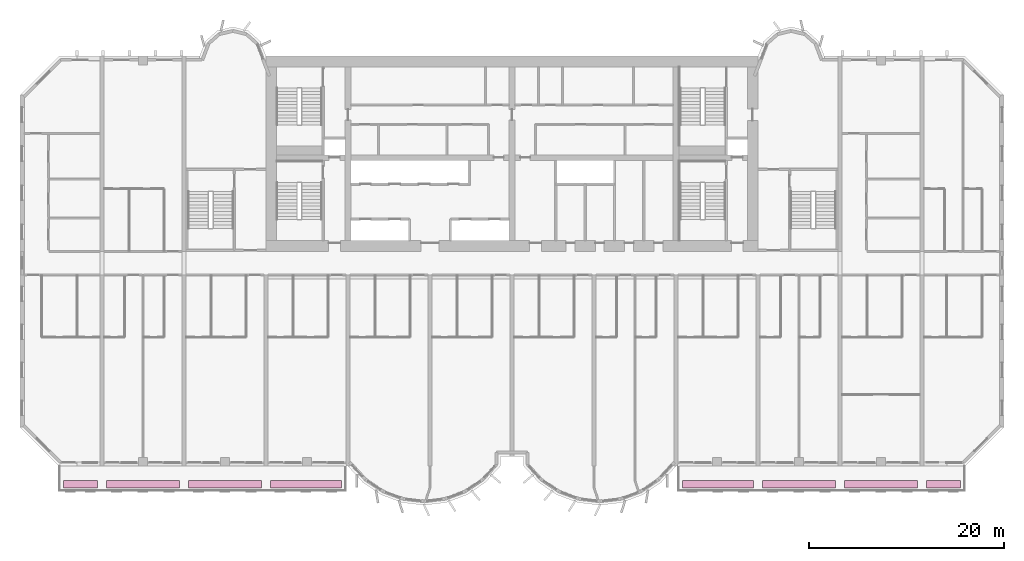
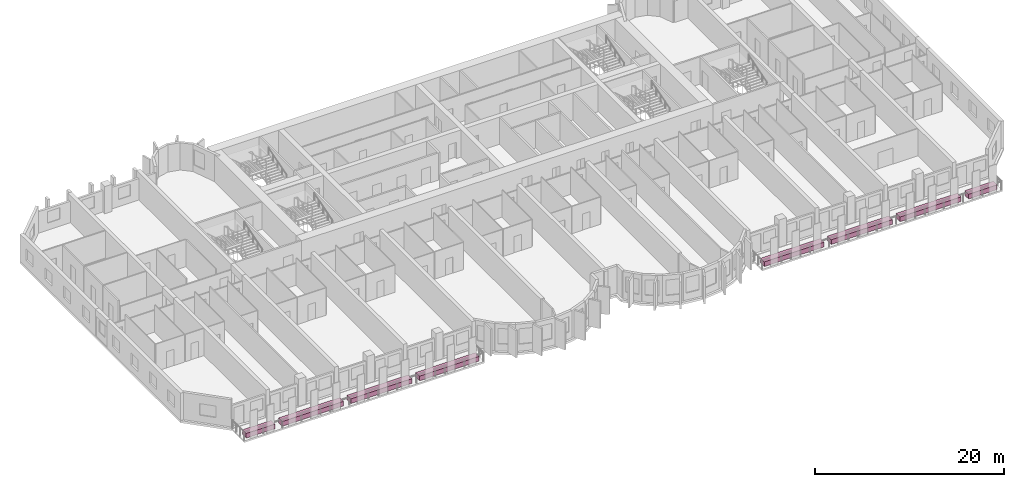
# One storey, part 15 of 15: 8 furniture elements.
"""IFC4 building model written with IfcOpenShell, lengths in metres."""

import ifcopenshell
import ifcopenshell.guid

model = None  # the IFC model being written
_history = None  # IfcOwnerHistory: only IFC2X3 demands one
_inside = {}  # id of a spatial element -> (the spatial element, [elements in it])
_under = {}  # id of a project, library or spatial element -> (it, [spatial elements below it])
_declared = {}  # id of a project -> (the project, [libraries it declares])
_typed = {}  # id of a type object -> (the type object, [elements of that type])
_made_of = {}  # id of a material, layer set ... -> (it, [elements and type objects made of it])


def new_model(schema):
    """Start an empty IFC model of exactly this schema.

    Asked for "IFC4X3", IfcOpenShell would pick the latest addendum, in which some entities
    have other attributes; the version numbers below select the first issue.
    IFC2X3 requires an IfcOwnerHistory on every rooted entity: one is made here for all.
    """
    global model, _history
    if schema == "IFC4X3":
        model = ifcopenshell.file(schema_version=(4, 3, 0, 0))
    else:
        model = ifcopenshell.file(schema=schema)
    _inside.clear()
    _under.clear()
    _declared.clear()
    _typed.clear()
    _made_of.clear()
    _history = None
    if model.schema == "IFC2X3":
        org = make("IfcOrganization", Name="unknown")
        user = make(
            "IfcPersonAndOrganization",
            ThePerson=make("IfcPerson", FamilyName="unknown"),
            TheOrganization=org,
        )
        app = make(
            "IfcApplication",
            ApplicationDeveloper=org,
            Version="unknown",
            ApplicationFullName="unknown",
            ApplicationIdentifier="unknown",
        )
        _history = make(
            "IfcOwnerHistory",
            OwningUser=user,
            OwningApplication=app,
            ChangeAction="ADDED",
            CreationDate=0,
        )
    return model


def make(cls, **values):
    """One entity of the class cls with the attributes given. An attribute that is None is left unset."""
    return model.create_entity(
        cls, **{name: value for name, value in values.items() if value is not None}
    )


def rooted(cls, **values):
    """An entity with a GlobalId (a new one), such as an element, a storey or a relation."""
    return make(cls, GlobalId=ifcopenshell.guid.new(), OwnerHistory=_history, **values)


def si_unit(unit_type, name, prefix=None):
    """IfcSIUnit, for example si_unit("LENGTHUNIT", "METRE", prefix="MILLI")."""
    return make("IfcSIUnit", UnitType=unit_type, Prefix=prefix, Name=name)


def assignment(units):
    """IfcUnitAssignment: the units of a project."""
    return None if units is None else make("IfcUnitAssignment", Units=units)


def point(xyz):
    """IfcCartesianPoint."""
    return None if xyz is None else make("IfcCartesianPoint", Coordinates=xyz)


def direction(xyz):
    """IfcDirection."""
    return None if xyz is None else make("IfcDirection", DirectionRatios=xyz)


def frame(location, z_axis=None, x_axis=None):
    """IfcAxis2Placement3D, a coordinate frame: its origin and axes. An axis left out is left unset."""
    return make(
        "IfcAxis2Placement3D",
        Location=point(location),
        Axis=direction(z_axis),
        RefDirection=direction(x_axis),
    )


def frame_2d(location, x_axis=None):
    """IfcAxis2Placement2D, a coordinate frame in the plane: its origin and x axis."""
    return make(
        "IfcAxis2Placement2D", Location=point(location), RefDirection=direction(x_axis)
    )


def origin():
    """The frame at (0, 0, 0) with its axes left unset."""
    return frame((0.0, 0.0, 0.0))


def origin_2d():
    """The frame at (0, 0) in the plane with its x axis left unset."""
    return frame_2d((0.0, 0.0))


def place(relative_to, where):
    """IfcLocalPlacement: puts the frame where relative to a parent placement (None: the world)."""
    return make(
        "IfcLocalPlacement", PlacementRelTo=relative_to, RelativePlacement=where
    )


def context(
    kind, dimensions, precision=None, world=None, true_north=None, identifier=None
):
    """IfcGeometricRepresentationContext, for example the 3D "Model" context."""
    return make(
        "IfcGeometricRepresentationContext",
        ContextIdentifier=identifier,
        ContextType=kind,
        CoordinateSpaceDimension=dimensions,
        Precision=precision,
        WorldCoordinateSystem=world,
        TrueNorth=true_north,
    )


def subcontext(parent, identifier, kind, view, scale=None):
    """IfcGeometricRepresentationSubContext, for example "Body" below "Model"."""
    return make(
        "IfcGeometricRepresentationSubContext",
        ContextIdentifier=identifier,
        ContextType=kind,
        ParentContext=parent,
        TargetScale=scale,
        TargetView=view,
    )


def project(units=None, contexts=None):
    """IfcProject with its units and contexts."""
    return rooted(
        "IfcProject",
        Name="project",
        RepresentationContexts=contexts,
        UnitsInContext=assignment(units),
    )


def spatial(cls, under=None, at=None, **own):
    """A site, building, storey or space (cls), placed at a placement, below another one or the project."""
    s = rooted(cls, ObjectPlacement=at, **own)
    if under is not None:
        _under.setdefault(under.id(), (under, []))[1].append(s)
    return s


def profile(cls, at=None, kind="AREA", **sizes):
    """A parametric profile (cls). Its sizes go by their IFC names, for example OverallWidth=200.0."""
    return make(cls, ProfileType=kind, Position=at, **sizes)


def rectangle(**sizes):
    """IfcRectangleProfileDef."""
    return profile("IfcRectangleProfileDef", **sizes)


def extrude(swept, where, along, depth):
    """IfcExtrudedAreaSolid: the profile swept, set in the frame where, extruded along a direction by depth."""
    return make(
        "IfcExtrudedAreaSolid",
        SweptArea=swept,
        Position=where,
        ExtrudedDirection=direction(along),
        Depth=depth,
    )


def shape(context_of_items, identifier, shape_type, items):
    """IfcShapeRepresentation: the items that make up one representation, for example the "Body"."""
    return make(
        "IfcShapeRepresentation",
        ContextOfItems=context_of_items,
        RepresentationIdentifier=identifier,
        RepresentationType=shape_type,
        Items=items,
    )


def source(mapping_origin, context_of_items, identifier, shape_type, items):
    """IfcRepresentationMap: a shape defined once, which mapped items show again and again."""
    return make(
        "IfcRepresentationMap",
        MappingOrigin=mapping_origin,
        MappedRepresentation=shape(context_of_items, identifier, shape_type, items),
    )


def transform(
    local_origin,
    x_axis=None,
    y_axis=None,
    z_axis=None,
    scale=None,
    scale2=None,
    scale3=None,
    uniform=True,
):
    """IfcCartesianTransformationOperator3D, or its non-uniform kind. x_axis, y_axis, z_axis: its Axis1, 2, 3."""
    if uniform:
        return make(
            "IfcCartesianTransformationOperator3D",
            Axis1=direction(x_axis),
            Axis2=direction(y_axis),
            LocalOrigin=point(local_origin),
            Scale=scale,
            Axis3=direction(z_axis),
        )
    return make(
        "IfcCartesianTransformationOperator3DnonUniform",
        Axis1=direction(x_axis),
        Axis2=direction(y_axis),
        LocalOrigin=point(local_origin),
        Scale=scale,
        Axis3=direction(z_axis),
        Scale2=scale2,
        Scale3=scale3,
    )


def mapped(mapping_source, mapping_target):
    """IfcMappedItem: shows the shape of a source again, moved by a transform."""
    return make(
        "IfcMappedItem", MappingSource=mapping_source, MappingTarget=mapping_target
    )


def material(Name=None, Category=None):
    """IfcMaterial."""
    return make("IfcMaterial", Name=Name, Category=Category)


def made_of(thing, what):
    """Note that an element or type object is made of a material, layer set ...; save() writes the relation."""
    if what is not None:
        _made_of.setdefault(what.id(), (what, []))[1].append(thing)
    return thing


def type_object(cls, material=None, **own):
    """A type object (cls), such as IfcWallType, which elements share."""
    return made_of(rooted(cls, **own), material)


def element(
    cls,
    number,
    at=None,
    inside=None,
    cuts=None,
    type_object=None,
    material=None,
    context=None,
    identifier="Body",
    shape_type=None,
    held_by="IfcProductDefinitionShape",
    body=None,
    shapes=None,
    **own,
):
    """One element of the class cls, such as IfcWall. Its Tag is "e" and its number.

    at: its placement. inside: the storey or other place that contains it. cuts: it is an
    opening in that element (IfcRelVoidsElement). A single representation is given by context,
    identifier, shape_type and body (its items); several are given by shapes. held_by: the class
    of the entity that holds the representations. save() writes the other relations.
    """
    e = rooted(cls, Tag="e%d" % number, ObjectPlacement=at, **own)
    if body is not None:
        shapes = [shape(context, identifier, shape_type, body)]
    if shapes is not None:
        e.Representation = make(held_by, Representations=shapes)
    if inside is not None:
        _inside.setdefault(inside.id(), (inside, []))[1].append(e)
    if cuts is not None:
        rooted(
            "IfcRelVoidsElement", RelatingBuildingElement=cuts, RelatedOpeningElement=e
        )
    if type_object is not None:
        _typed.setdefault(type_object.id(), (type_object, []))[1].append(e)
    return made_of(e, material)


def aggregate(whole, parts):
    """IfcRelAggregates: a whole, such as a stair, and the parts it consists of."""
    return rooted("IfcRelAggregates", RelatingObject=whole, RelatedObjects=parts)


def save(model, path):
    """Write the relations noted so far, then the file.

    IfcRelAggregates (storeys below a building ...), IfcRelContainedInSpatialStructure (elements
    in a storey), IfcRelDefinesByType, IfcRelAssociatesMaterial and IfcRelDeclares: one each for
    every whole, place, type object, material and project.
    """
    for whole, parts in _under.values():
        aggregate(whole, parts)
    for where, things in _inside.values():
        rooted(
            "IfcRelContainedInSpatialStructure",
            RelatedElements=things,
            RelatingStructure=where,
        )
    for kind, things in _typed.values():
        rooted("IfcRelDefinesByType", RelatedObjects=things, RelatingType=kind)
    for what, things in _made_of.values():
        rooted("IfcRelAssociatesMaterial", RelatedObjects=things, RelatingMaterial=what)
    for by, libraries in _declared.values():
        rooted("IfcRelDeclares", RelatingContext=by, RelatedDefinitions=libraries)
    model.write(path)


model = new_model("IFC4")

# Units and contexts
model_context = context("Model", 3, precision=1e-05, world=origin(), true_north=direction((0.0, 1.0)))
body_context = subcontext(model_context, "Body", "Model", "MODEL_VIEW")
ifc_project = project(units=[si_unit("LENGTHUNIT", "METRE"), si_unit("AREAUNIT", "SQUARE_METRE"), si_unit("VOLUMEUNIT", "CUBIC_METRE"), si_unit("PLANEANGLEUNIT", "RADIAN"), si_unit("MASSUNIT", "GRAM", prefix="KILO")], contexts=[model_context])

# Site, building, storey
site_placement = place(None, origin())
site = spatial("IfcSite", under=ifc_project, at=site_placement, CompositionType="ELEMENT")
building_placement = place(site_placement, origin())
building = spatial("IfcBuilding", under=site, at=building_placement, Name="Vanashikhar Sky Hotel", CompositionType="ELEMENT")
storey_placement = place(building_placement, frame((0.0, 0.0, 39.199951171875)))
storey = spatial("IfcBuildingStorey", under=building, at=storey_placement, Name="L08", CompositionType="ELEMENT", Elevation=39.199951171875)

# Furniture
ifc_material = material(Name="Planting soil and shrubs")
furniture_type = type_object("IfcFurnitureType", Name="Planter trough", AssemblyPlace="NOTDEFINED", PredefinedType="USERDEFINED", material=ifc_material)
shared_shape_1 = source(origin(), body_context, "Body", "SweptSolid", [
    extrude(rectangle(XDim=3.5, YDim=0.800048828125, at=origin_2d()), origin(), (0.0, 0.0, 1.0), 0.60009765625),
])
for number, where, z_axis, x_axis, name in (
    (1, (6.199951171875, -1.85009765625, -0.050048828125), (0.0, 0.0, 1.0), (1.0, 0.0, 0.0), "PLANTER with climbers"),
    (2, (94.60009765625, -1.85009765625, -0.050048828125), (0.0, 0.0, 1.0), (1.0, 0.0, 0.0), "PLANTER with climbers"),
):
    element("IfcFurniture", number, at=place(storey_placement, frame(where, z_axis=z_axis, x_axis=x_axis)), inside=storey, type_object=furniture_type, Name=name, ObjectType="PLANTER", PredefinedType="USERDEFINED", context=body_context, shape_type="MappedRepresentation", body=[
        mapped(shared_shape_1, transform((0.0, 0.0, 0.0), scale=1.0)),
    ])
shared_shape_2 = source(origin(), body_context, "Body", "SweptSolid", [
    extrude(rectangle(XDim=7.5, YDim=0.800048828125, at=origin_2d()), origin(), (0.0, 0.0, 1.0), 0.60009765625),
])
for number, where, z_axis, x_axis, name in (
    (3, (12.60009765625, -1.85009765625, -0.050048828125), (0.0, 0.0, 1.0), (1.0, 0.0, 0.0), "PLANTER with climbers"),
    (4, (21.0, -1.85009765625, -0.050048828125), (0.0, 0.0, 1.0), (1.0, 0.0, 0.0), "PLANTER with climbers"),
    (5, (79.800048828125, -1.85009765625, -0.050048828125), (0.0, 0.0, 1.0), (1.0, 0.0, 0.0), "PLANTER with climbers"),
    (6, (88.199951171875, -1.85009765625, -0.050048828125), (0.0, 0.0, 1.0), (1.0, 0.0, 0.0), "PLANTER with climbers"),
):
    element("IfcFurniture", number, at=place(storey_placement, frame(where, z_axis=z_axis, x_axis=x_axis)), inside=storey, type_object=furniture_type, Name=name, ObjectType="PLANTER", PredefinedType="USERDEFINED", context=body_context, shape_type="MappedRepresentation", body=[
        mapped(shared_shape_2, transform((0.0, 0.0, 0.0), scale=1.0)),
    ])
shared_shape_3 = source(origin(), body_context, "Body", "SweptSolid", [
    extrude(rectangle(XDim=7.300048828125, YDim=0.800048828125, at=origin_2d()), origin(), (0.0, 0.0, 1.0), 0.60009765625),
])
for number, where, z_axis, x_axis, name in (
    (7, (29.300048828125, -1.85009765625, -0.050048828125), (0.0, 0.0, 1.0), (1.0, 0.0, 0.0), "PLANTER with climbers"),
    (8, (71.5, -1.85009765625, -0.050048828125), (0.0, 0.0, 1.0), (1.0, 0.0, 0.0), "PLANTER with climbers"),
):
    element("IfcFurniture", number, at=place(storey_placement, frame(where, z_axis=z_axis, x_axis=x_axis)), inside=storey, type_object=furniture_type, Name=name, ObjectType="PLANTER", PredefinedType="USERDEFINED", context=body_context, shape_type="MappedRepresentation", body=[
        mapped(shared_shape_3, transform((0.0, 0.0, 0.0), scale=1.0)),
    ])

save(model, "model.ifc")
